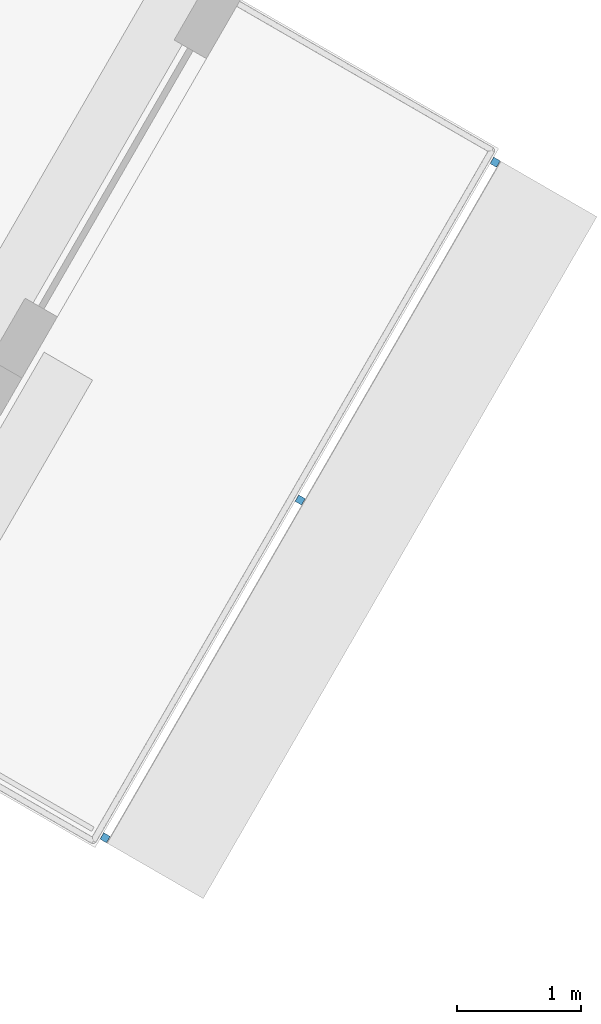
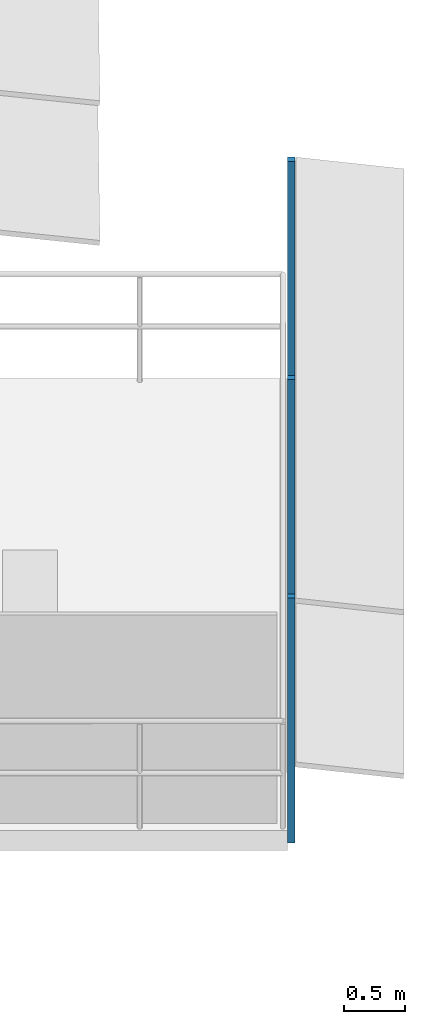
# One storey, part 10 of 14: 3 discrete accessories.
"""IFC4 building model written with IfcOpenShell, lengths in metres."""

from ifc_helpers import new_model, si_unit, direction, frame, origin, origin_2d, place, context, subcontext, project, spatial, rectangle, extrude, material, type_object, element, save


model = new_model("IFC4")

# Units and contexts
model_context = context("Model", 3, precision=1e-05, world=origin(), true_north=direction((0.0, 1.0)))
body_context = subcontext(model_context, "Body", "Model", "MODEL_VIEW")
ifc_project = project(units=[si_unit("LENGTHUNIT", "METRE"), si_unit("AREAUNIT", "SQUARE_METRE"), si_unit("VOLUMEUNIT", "CUBIC_METRE"), si_unit("PLANEANGLEUNIT", "RADIAN"), si_unit("MASSUNIT", "GRAM", prefix="KILO")], contexts=[model_context])

# Site, building, storey
site_placement = place(None, origin())
site = spatial("IfcSite", under=ifc_project, at=site_placement, CompositionType="ELEMENT")
building_placement = place(site_placement, origin())
building = spatial("IfcBuilding", under=site, at=building_placement, Name="Nakaniwa Court", CompositionType="ELEMENT")
storey_placement = place(building_placement, frame((0.0, 0.0, 262.5)))
storey = spatial("IfcBuildingStorey", under=building, at=storey_placement, Name="L69", CompositionType="ELEMENT", Elevation=262.5)

# Discrete accessories
ifc_material = material(Name="Black powder-coated steel bracket S275", Category="steel")
discrete_accessory_type = type_object("IfcDiscreteAccessoryType", Name="Black metal louvre bracket", PredefinedType="BRACKET", material=ifc_material)
for number, where, z_axis, x_axis, name in (
    (1, (100.473388671875, 65.301025390625, -0.22998046875), (0.0, 0.0, 1.0), (0.499986396443, 0.866033257659, 0.0), "L69 louvre bracket 02 1"),
    (2, (102.043212890625, 68.02001953125, -0.22998046875), (0.0, 0.0, 1.0), (0.499986396443, 0.866033257659, 0.0), "L69 louvre bracket 02 2"),
    (3, (103.613037109375, 70.739013671875, -0.22998046875), (0.0, 0.0, 1.0), (0.499986396443, 0.866033257659, 0.0), "L69 louvre bracket 02 3"),
):
    element("IfcDiscreteAccessory", number, at=place(storey_placement, frame(where, z_axis=z_axis, x_axis=x_axis)), inside=storey, type_object=discrete_accessory_type, Name=name, PredefinedType="BRACKET", context=body_context, shape_type="SweptSolid", body=[
        extrude(rectangle(XDim=0.06005859375, YDim=0.06005859375, at=origin_2d()), origin(), (0.0, 0.0, 1.0), 2.46337890625),
    ])

save(model, "model.ifc")
